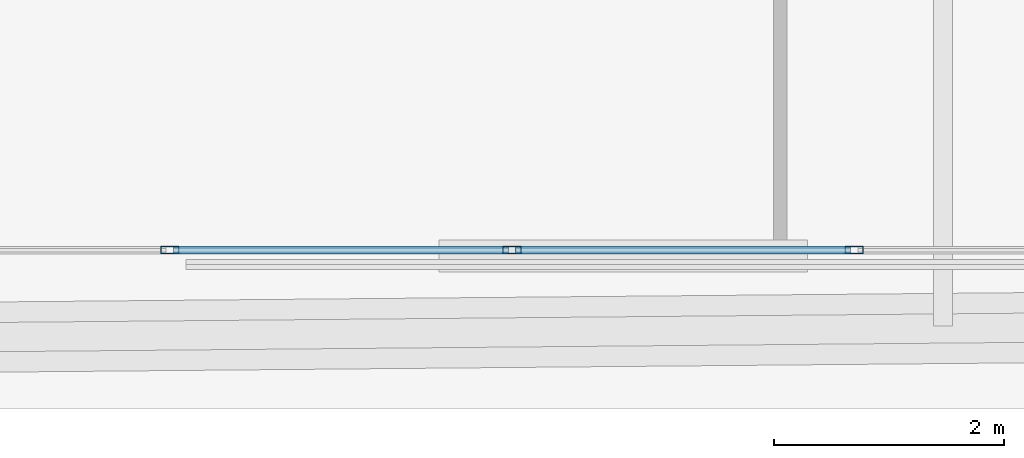
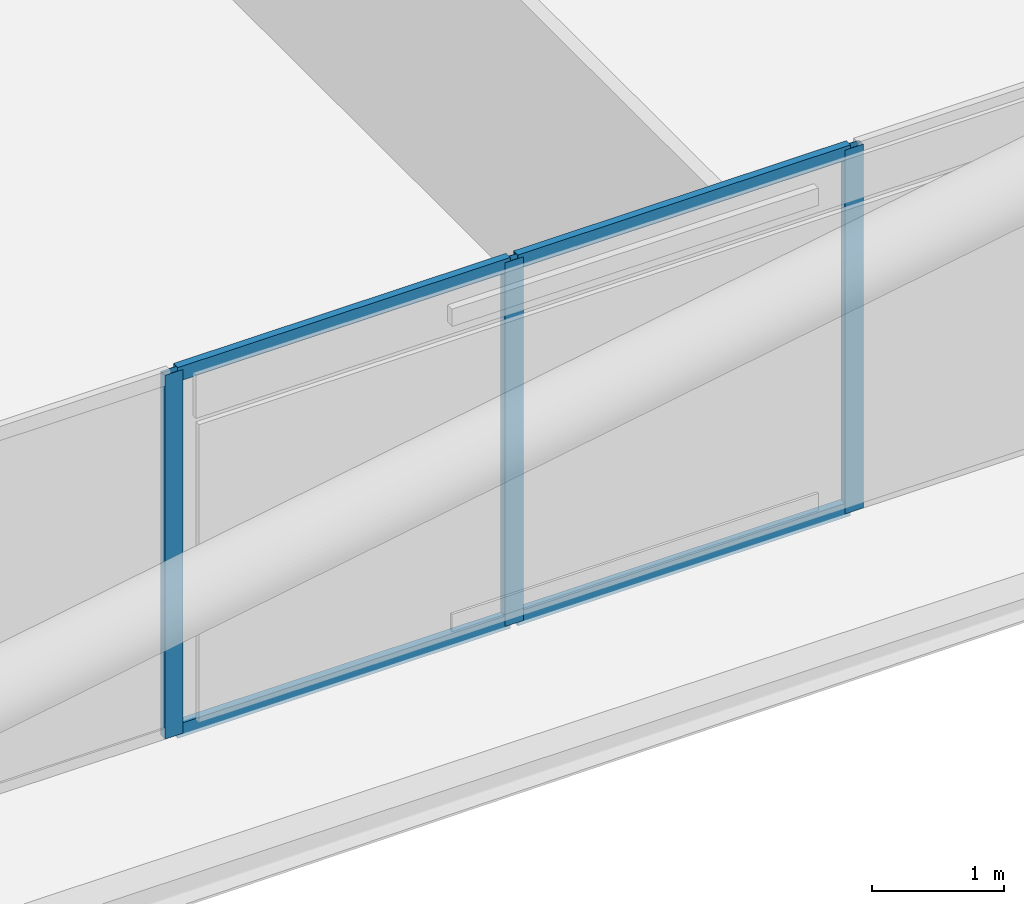
# One storey, part 9 of 50: 7 members, 1 element without a shape of its own.
"""IFC4 building model written with IfcOpenShell, lengths in metres."""

from ifc_helpers import new_model, si_unit, direction, frame, origin, origin_2d, place, context, subcontext, project, spatial, hollow_rectangle, extrude, material, layer, layer_set, material_profile, profile_set, type_object, element, aggregate, save


model = new_model("IFC4")

# Units and contexts
model_context = context("Model", 3, precision=1e-05, world=origin(), true_north=direction((0.0, 1.0)))
body_context = subcontext(model_context, "Body", "Model", "MODEL_VIEW")
ifc_project = project(units=[si_unit("LENGTHUNIT", "METRE"), si_unit("AREAUNIT", "SQUARE_METRE"), si_unit("VOLUMEUNIT", "CUBIC_METRE"), si_unit("PLANEANGLEUNIT", "RADIAN"), si_unit("MASSUNIT", "GRAM", prefix="KILO")], contexts=[model_context])

# Site, building, storey
site_placement = place(None, origin())
site = spatial("IfcSite", under=ifc_project, at=site_placement, CompositionType="ELEMENT")
building_placement = place(site_placement, origin())
building = spatial("IfcBuilding", under=site, at=building_placement, Name="Caelvoria Tower", CompositionType="ELEMENT")
storey_placement = place(building_placement, frame((0.0, 0.0, 71.199951171875)))
storey = spatial("IfcBuildingStorey", under=building, at=storey_placement, Name="L18", CompositionType="ELEMENT", Elevation=71.199951171875)

# Curtain wall, members
ifc_material_1 = material(Name="Anodised Bronze Aluminium and Low-E Glass", Category="aluminium")
ifc_layer = layer(ifc_material_1, 0.18505859375, Name="Anodised Bronze Aluminium and Low-E Glass")
ifc_layer_set = layer_set([ifc_layer], Name="CW System 2 Lower Tower Bronze Unitised Facade - Anodised Bronze Aluminium and Low-E Glass")
curtain_wall_type = type_object("IfcCurtainWallType", Name="CW System 2 Lower Tower Bronze Unitised Facade", PredefinedType="NOTDEFINED", material=ifc_layer_set)
curtain_wall_placement = place(storey_placement, origin())
curtain_wall = element("IfcCurtainWall", 1, at=curtain_wall_placement, inside=storey, type_object=curtain_wall_type, Name="CW-02 Curtain Wall L18-E0", PredefinedType="NOTDEFINED")
ifc_material_2 = material(Name="Anodised Bronze Architectural Aluminium", Category="aluminium")
ifc_material_profile_1 = material_profile(ifc_material_2, hollow_rectangle(XDim=0.06494140625, YDim=0.159912109375, WallThickness=0.00390625, at=origin_2d()), Name="Anodised Bronze Architectural Aluminium")
ifc_profile_set_1 = profile_set([ifc_material_profile_1], Name="CW_MULL_65X160 - Anodised Bronze Architectural Aluminium")
member_type_1 = type_object("IfcMemberType", Name="Curtain Wall Mullion 65x160 Bronze Aluminium", PredefinedType="MULLION", material=ifc_profile_set_1)
member_1_placement = place(storey_placement, frame((37.085693359375, 10.179931640625, 0.0), z_axis=(0.0, 0.0, 1.0), x_axis=(0.0, 1.0, 0.0)))
member_1 = element("IfcMember", 2, at=member_1_placement, type_object=member_type_1, Name="CW-02 mullion 5", PredefinedType="MULLION", context=body_context, shape_type="SweptSolid", body=[
    extrude(hollow_rectangle(XDim=0.06494140625, YDim=0.159912109375, WallThickness=0.00390625, at=origin_2d()), origin(), (0.0, 0.0, 1.0), 3.360107421875),
])
member_2_placement = place(storey_placement, frame((40.05712890625, 10.179931640625, 0.0), z_axis=(0.0, 0.0, 1.0), x_axis=(0.0, 1.0, 0.0)))
member_2 = element("IfcMember", 3, at=member_2_placement, type_object=member_type_1, Name="CW-02 mullion 6", PredefinedType="MULLION", context=body_context, shape_type="SweptSolid", body=[
    extrude(hollow_rectangle(XDim=0.06494140625, YDim=0.159912109375, WallThickness=0.00390625, at=origin_2d()), origin(), (0.0, 0.0, 1.0), 3.360107421875),
])
member_3_placement = place(storey_placement, frame((43.028564453125, 10.179931640625, 0.0), z_axis=(0.0, 0.0, 1.0), x_axis=(0.0, 1.0, 0.0)))
member_3 = element("IfcMember", 4, at=member_3_placement, type_object=member_type_1, Name="CW-02 mullion 7", PredefinedType="MULLION", context=body_context, shape_type="SweptSolid", body=[
    extrude(hollow_rectangle(XDim=0.06494140625, YDim=0.159912109375, WallThickness=0.00390625, at=origin_2d()), origin(), (0.0, 0.0, 1.0), 3.360107421875),
])
ifc_material_profile_2 = material_profile(ifc_material_2, hollow_rectangle(XDim=0.06494140625, YDim=0.1298828125, WallThickness=0.00341796875, at=origin_2d()), Name="Anodised Bronze Architectural Aluminium")
ifc_profile_set_2 = profile_set([ifc_material_profile_2], Name="CW_TRAN_65X130 - Anodised Bronze Architectural Aluminium")
member_type_2 = type_object("IfcMemberType", Name="Curtain Wall Transom 65x130 Bronze Aluminium", PredefinedType="USERDEFINED", material=ifc_profile_set_2)
member_4_placement = place(storey_placement, frame((37.1181640625, 10.179931640625, 0.032470703125), z_axis=(1.0, 0.0, 0.0), x_axis=(0.0, 1.0, 0.0)))
member_4 = element("IfcMember", 5, at=member_4_placement, type_object=member_type_2, Name="CW-02 transom 5.1", ObjectType="TRANSOM", PredefinedType="USERDEFINED", context=body_context, shape_type="SweptSolid", body=[
    extrude(hollow_rectangle(XDim=0.06494140625, YDim=0.1298828125, WallThickness=0.00341796875, at=origin_2d()), origin(), (0.0, 0.0, 1.0), 2.906494140625),
])
member_5_placement = place(storey_placement, frame((37.1181640625, 10.179931640625, 3.32763671875), z_axis=(1.0, 0.0, 0.0), x_axis=(0.0, 1.0, 0.0)))
member_5 = element("IfcMember", 6, at=member_5_placement, type_object=member_type_2, Name="CW-02 transom 5.2", ObjectType="TRANSOM", PredefinedType="USERDEFINED", context=body_context, shape_type="SweptSolid", body=[
    extrude(hollow_rectangle(XDim=0.06494140625, YDim=0.1298828125, WallThickness=0.00341796875, at=origin_2d()), origin(), (0.0, 0.0, 1.0), 2.906494140625),
])
member_6_placement = place(storey_placement, frame((40.089599609375, 10.179931640625, 0.032470703125), z_axis=(1.0, 0.0, 0.0), x_axis=(0.0, 1.0, 0.0)))
member_6 = element("IfcMember", 7, at=member_6_placement, type_object=member_type_2, Name="CW-02 transom 6.1", ObjectType="TRANSOM", PredefinedType="USERDEFINED", context=body_context, shape_type="SweptSolid", body=[
    extrude(hollow_rectangle(XDim=0.06494140625, YDim=0.1298828125, WallThickness=0.00341796875, at=origin_2d()), origin(), (0.0, 0.0, 1.0), 2.906494140625),
])
member_7_placement = place(storey_placement, frame((40.089599609375, 10.179931640625, 3.32763671875), z_axis=(1.0, 0.0, 0.0), x_axis=(0.0, 1.0, 0.0)))
member_7 = element("IfcMember", 8, at=member_7_placement, type_object=member_type_2, Name="CW-02 transom 6.2", ObjectType="TRANSOM", PredefinedType="USERDEFINED", context=body_context, shape_type="SweptSolid", body=[
    extrude(hollow_rectangle(XDim=0.06494140625, YDim=0.1298828125, WallThickness=0.00341796875, at=origin_2d()), origin(), (0.0, 0.0, 1.0), 2.906494140625),
])
aggregate(curtain_wall, [member_1, member_2, member_3, member_4, member_5, member_6, member_7])

save(model, "model.ifc")
